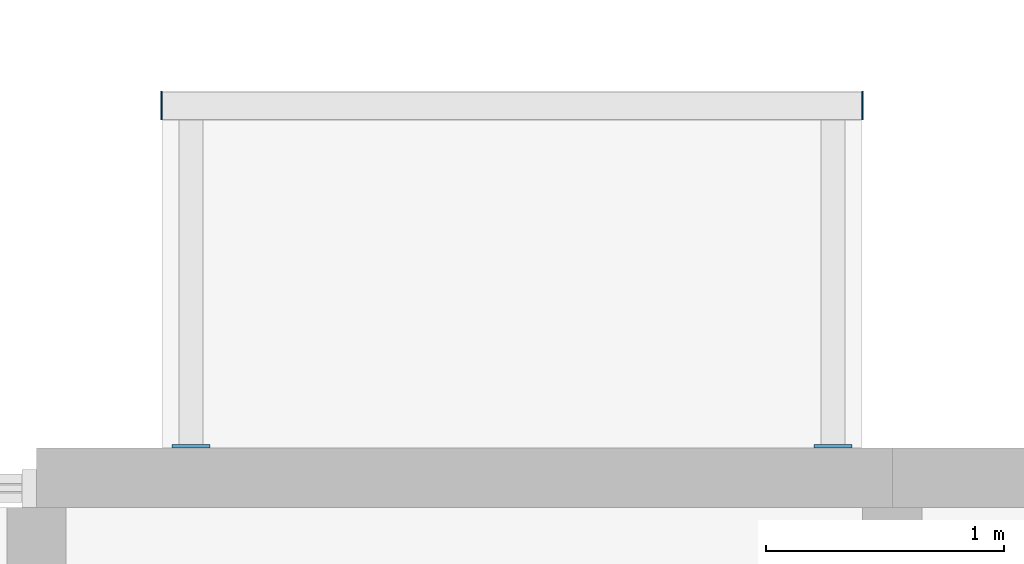
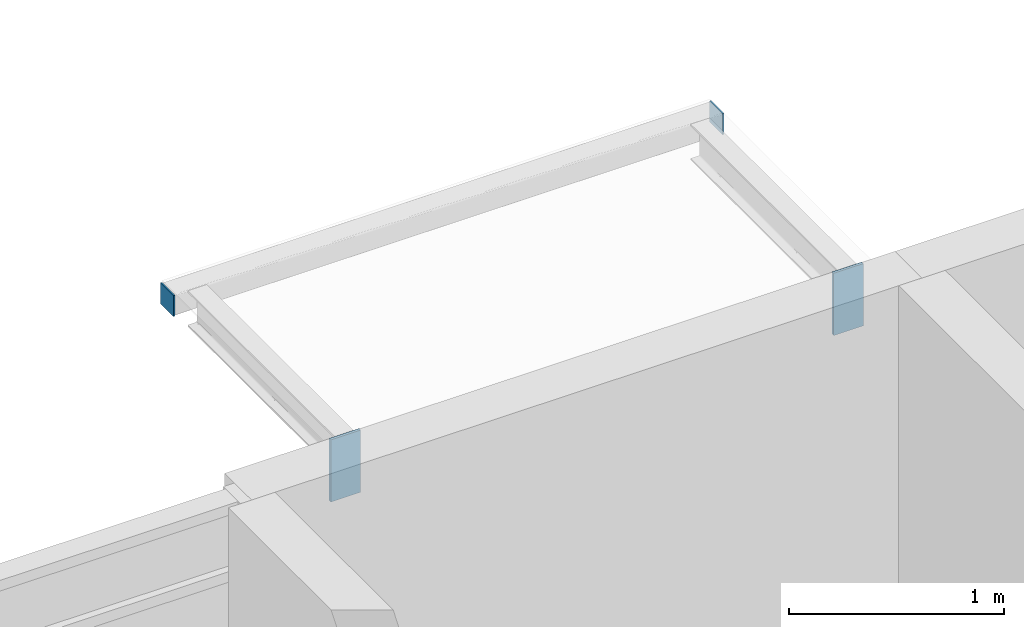
# One storey, part 98 of 122: 4 discrete accessories.
"""IFC4 building model written with IfcOpenShell, lengths in metres."""

from ifc_helpers import new_model, si_unit, direction, frame, origin, origin_2d, place, context, subcontext, project, spatial, rectangle, extrude, material, layer, layer_set, type_object, element, save


model = new_model("IFC4")

# Units and contexts
model_context = context("Model", 3, precision=1e-05, world=origin(), true_north=direction((0.0, 1.0)))
body_context = subcontext(model_context, "Body", "Model", "MODEL_VIEW")
ifc_project = project(units=[si_unit("LENGTHUNIT", "METRE"), si_unit("AREAUNIT", "SQUARE_METRE"), si_unit("VOLUMEUNIT", "CUBIC_METRE"), si_unit("PLANEANGLEUNIT", "RADIAN"), si_unit("MASSUNIT", "GRAM", prefix="KILO")], contexts=[model_context])

# Site, building, storey
site_placement = place(None, origin())
site = spatial("IfcSite", under=ifc_project, at=site_placement, CompositionType="ELEMENT")
building_placement = place(site_placement, origin())
building = spatial("IfcBuilding", under=site, at=building_placement, Name="Ridgestep Commons", CompositionType="ELEMENT")
storey_placement = place(building_placement, frame((0.0, 0.0, 3.0)))
storey = spatial("IfcBuildingStorey", under=building, at=storey_placement, Name="L01", CompositionType="ELEMENT", Elevation=3.0)

# Discrete accessories
ifc_material_1 = material(Name="Weathering steel S355J2W", Category="steel")
ifc_layer_1 = layer(ifc_material_1, 0.014892578125)
ifc_layer_set_1 = layer_set([ifc_layer_1], Name="Tray bracket plate 15")
discrete_accessory_type_1 = type_object("IfcDiscreteAccessoryType", Name="Tray bracket plate 15", PredefinedType="BRACKET", material=ifc_layer_set_1)
for number, where, z_axis, x_axis, name in (
    (1, (220.64990234375, 23.007568359375, 2.63671875), (0.0, 0.0, 1.0), (1.0, 0.0, 0.0), "Tray bracket D5T3-02.1"),
    (2, (223.35009765625, 23.007568359375, 2.63671875), (0.0, 0.0, 1.0), (1.0, 0.0, 0.0), "Tray bracket D5T3-02.2"),
):
    element("IfcDiscreteAccessory", number, at=place(storey_placement, frame(where, z_axis=z_axis, x_axis=x_axis)), inside=storey, type_object=discrete_accessory_type_1, Name=name, PredefinedType="BRACKET", context=body_context, shape_type="SweptSolid", body=[
        extrude(rectangle(XDim=0.159912109375, YDim=0.014892578125, at=origin_2d()), origin(), (0.0, 0.0, 1.0), 0.353271484375),
    ])
ifc_material_2 = material(Name="Weathering steel S355J2W", Category="steel")
ifc_layer_2 = layer(ifc_material_2, 0.008056640625)
ifc_layer_set_2 = layer_set([ifc_layer_2], Name="Tray edge member end plate 120 x 120 x 8")
discrete_accessory_type_2 = type_object("IfcDiscreteAccessoryType", Name="Tray edge member end plate 120 x 120 x 8", PredefinedType="BRACKET", material=ifc_layer_set_2)
for number, where, z_axis, x_axis, name in (
    (3, (220.52587890625, 24.43994140625, 2.869873046875), (0.0, 0.0, 1.0), (1.0, 0.0, 0.0), "Tray edge member end plate D5T3-02 west"),
    (4, (223.47412109375, 24.43994140625, 2.869873046875), (0.0, 0.0, 1.0), (1.0, 0.0, 0.0), "Tray edge member end plate D5T3-02 east"),
):
    element("IfcDiscreteAccessory", number, at=place(storey_placement, frame(where, z_axis=z_axis, x_axis=x_axis)), inside=storey, type_object=discrete_accessory_type_2, Name=name, PredefinedType="BRACKET", context=body_context, shape_type="SweptSolid", body=[
        extrude(rectangle(XDim=0.008056640625, YDim=0.1201171875, at=origin_2d()), origin(), (0.0, 0.0, 1.0), 0.1201171875),
    ])

save(model, "model.ifc")
